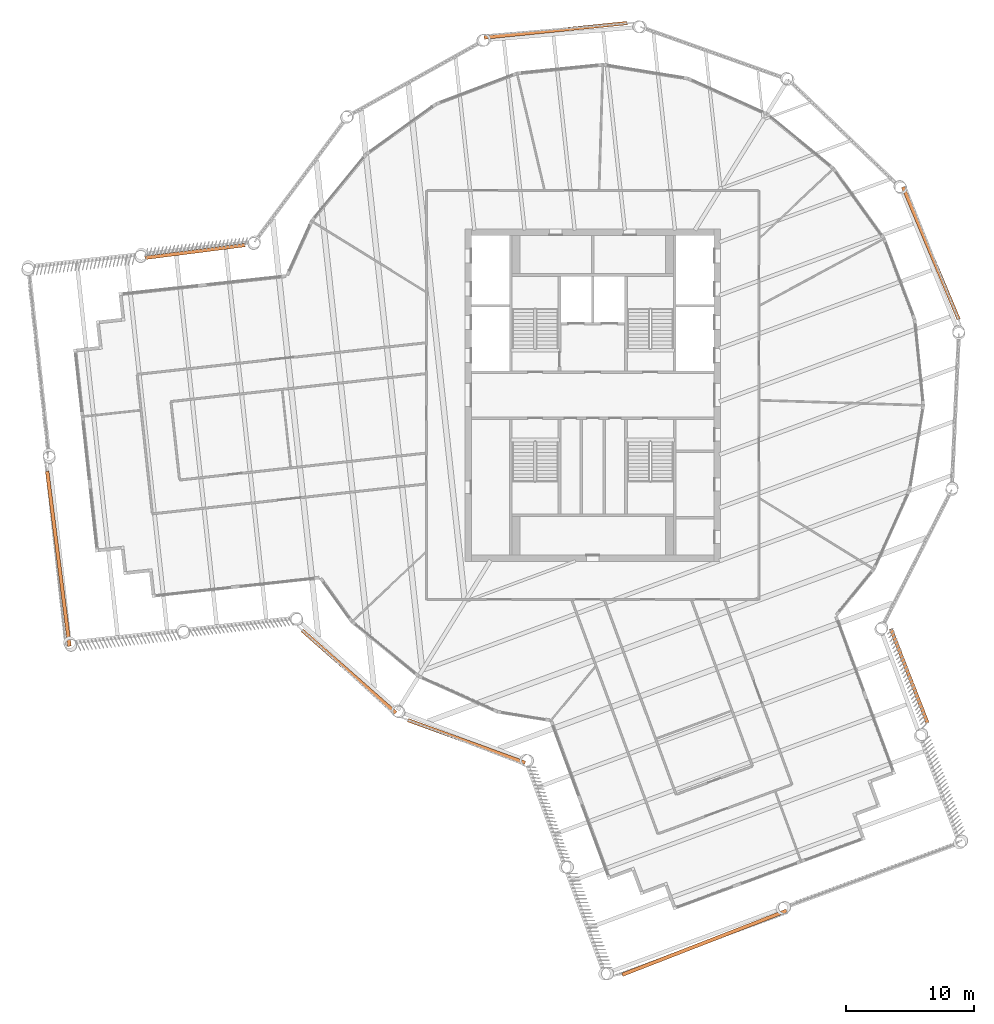
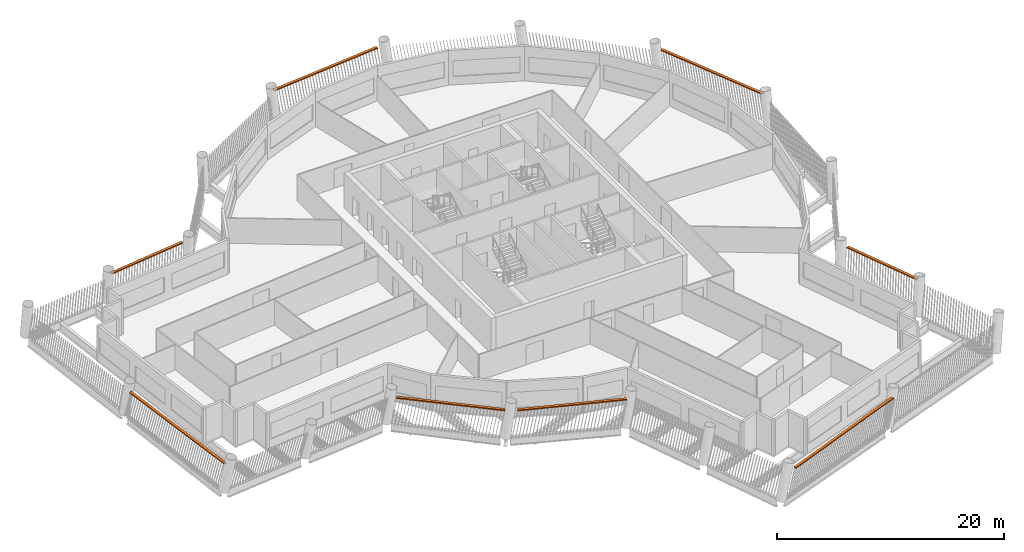
# One storey, part 14 of 14: 8 proxies.
"""IFC4 building model written with IfcOpenShell, lengths in metres."""

from ifc_helpers import new_model, si_unit, direction, frame, origin, origin_2d, place, context, subcontext, project, spatial, rectangle, extrude, material, type_object, element, save


model = new_model("IFC4")

# Units and contexts
model_context = context("Model", 3, precision=1e-05, world=origin(), true_north=direction((0.0, 1.0)))
body_context = subcontext(model_context, "Body", "Model", "MODEL_VIEW")
ifc_project = project(units=[si_unit("LENGTHUNIT", "METRE"), si_unit("AREAUNIT", "SQUARE_METRE"), si_unit("VOLUMEUNIT", "CUBIC_METRE"), si_unit("PLANEANGLEUNIT", "RADIAN"), si_unit("MASSUNIT", "GRAM", prefix="KILO")], contexts=[model_context])

# Site, building, storey
site_placement = place(None, origin())
site = spatial("IfcSite", under=ifc_project, at=site_placement, CompositionType="ELEMENT")
building_placement = place(site_placement, origin())
building = spatial("IfcBuilding", under=site, at=building_placement, Name="Tarsis Ring Headquarters", CompositionType="ELEMENT")
storey_placement = place(building_placement, frame((0.0, 0.0, 311.89990234375)))
storey = spatial("IfcBuildingStorey", under=building, at=storey_placement, Name="L73", CompositionType="ELEMENT", Elevation=311.89990234375)

# Proxies
ifc_material = material(Name="Structural steel S355", Category="steel")
building_element_proxy_type = type_object("IfcBuildingElementProxyType", Name="Screen bracket plate", PredefinedType="USERDEFINED", material=ifc_material)
proxy_1_placement = place(storey_placement, frame((-9.88037109375, -27.094482421875, 2.9677734375), z_axis=(0.0, 0.0, 1.0), x_axis=(0.939483415607, -0.342594383783, 0.0)))
element("IfcBuildingElementProxy", 1, at=proxy_1_placement, inside=storey, type_object=building_element_proxy_type, Name="Screen bracket L73-00", ObjectType="Bracket", PredefinedType="USERDEFINED", context=body_context, shape_type="SweptSolid", body=[
    extrude(rectangle(XDim=9.771728515625, YDim=0.280029296875, at=origin_2d()), origin(), (0.0, 0.0, 1.0), 0.1201171875),
])
proxy_2_placement = place(storey_placement, frame((8.744873046875, -42.84228515625, 2.9677734375), z_axis=(0.0, 0.0, 1.0), x_axis=(0.931817982089, 0.362925954232, 0.0)))
element("IfcBuildingElementProxy", 2, at=proxy_2_placement, inside=storey, type_object=building_element_proxy_type, Name="Screen bracket L73-03", ObjectType="Bracket", PredefinedType="USERDEFINED", context=body_context, shape_type="SweptSolid", body=[
    extrude(rectangle(XDim=13.800048828125, YDim=0.280029296875, at=origin_2d()), origin(), (0.0, 0.0, 1.0), 0.1201171875),
])
proxy_3_placement = place(storey_placement, frame((24.752685546875, -21.96044921875, 2.9677734375), z_axis=(0.0, 0.0, 1.0), x_axis=(-0.362925905442, 0.931818001092, 0.0)))
element("IfcBuildingElementProxy", 3, at=proxy_3_placement, inside=storey, type_object=building_element_proxy_type, Name="Screen bracket L73-06", ObjectType="Bracket", PredefinedType="USERDEFINED", context=body_context, shape_type="SweptSolid", body=[
    extrude(rectangle(XDim=7.90234375, YDim=0.280029296875, at=origin_2d()), origin(), (0.0, 0.0, 1.0), 0.1201171875),
])
for number, where, z_axis, x_axis, name in (
    (4, (26.455322265625, 11.1025390625, 2.9677734375), (0.0, 0.0, 1.0), (-0.386972609689, 0.922091209887, 0.0), "Screen bracket L73-09"),
    (5, (-2.896240234375, 28.5439453125, 2.9677734375), (0.0, 0.0, 1.0), (-0.994891745822, -0.100947580926, 0.0), "Screen bracket L73-12"),
):
    element("IfcBuildingElementProxy", number, at=place(storey_placement, frame(where, z_axis=z_axis, x_axis=x_axis)), inside=storey, type_object=building_element_proxy_type, Name=name, ObjectType="Bracket", PredefinedType="USERDEFINED", context=body_context, shape_type="SweptSolid", body=[
        extrude(rectangle(XDim=11.248779296875, YDim=0.280029296875, at=origin_2d()), origin(), (0.0, 0.0, 1.0), 0.1201171875),
    ])
proxy_4_placement = place(storey_placement, frame((-31.1220703125, 11.241943359375, 2.9677734375), z_axis=(0.0, 0.0, 1.0), x_axis=(-0.991938722805, -0.126718468266, 0.0)))
element("IfcBuildingElementProxy", 6, at=proxy_4_placement, inside=storey, type_object=building_element_proxy_type, Name="Screen bracket L73-15", ObjectType="Bracket", PredefinedType="USERDEFINED", context=body_context, shape_type="SweptSolid", body=[
    extrude(rectangle(XDim=7.90234375, YDim=0.280029296875, at=origin_2d()), origin(), (0.0, 0.0, 1.0), 0.1201171875),
])
proxy_5_placement = place(storey_placement, frame((-41.809814453125, -12.80126953125, 2.9677734375), z_axis=(0.0, 0.0, 1.0), x_axis=(0.126718381703, -0.991938733863, 0.0)))
element("IfcBuildingElementProxy", 7, at=proxy_5_placement, inside=storey, type_object=building_element_proxy_type, Name="Screen bracket L73-18", ObjectType="Bracket", PredefinedType="USERDEFINED", context=body_context, shape_type="SweptSolid", body=[
    extrude(rectangle(XDim=13.800048828125, YDim=0.280029296875, at=origin_2d()), origin(), (0.0, 0.0, 1.0), 0.1201171875),
])
proxy_6_placement = place(storey_placement, frame((-19.073974609375, -21.63134765625, 2.9677734375), z_axis=(0.0, 0.0, 1.0), x_axis=(0.750053564205, -0.661377086709, 0.0)))
element("IfcBuildingElementProxy", 8, at=proxy_6_placement, inside=storey, type_object=building_element_proxy_type, Name="Screen bracket L73-21", ObjectType="Bracket", PredefinedType="USERDEFINED", context=body_context, shape_type="SweptSolid", body=[
    extrude(rectangle(XDim=9.771728515625, YDim=0.280029296875, at=origin_2d()), origin(), (0.0, 0.0, 1.0), 0.1201171875),
])

save(model, "model.ifc")
